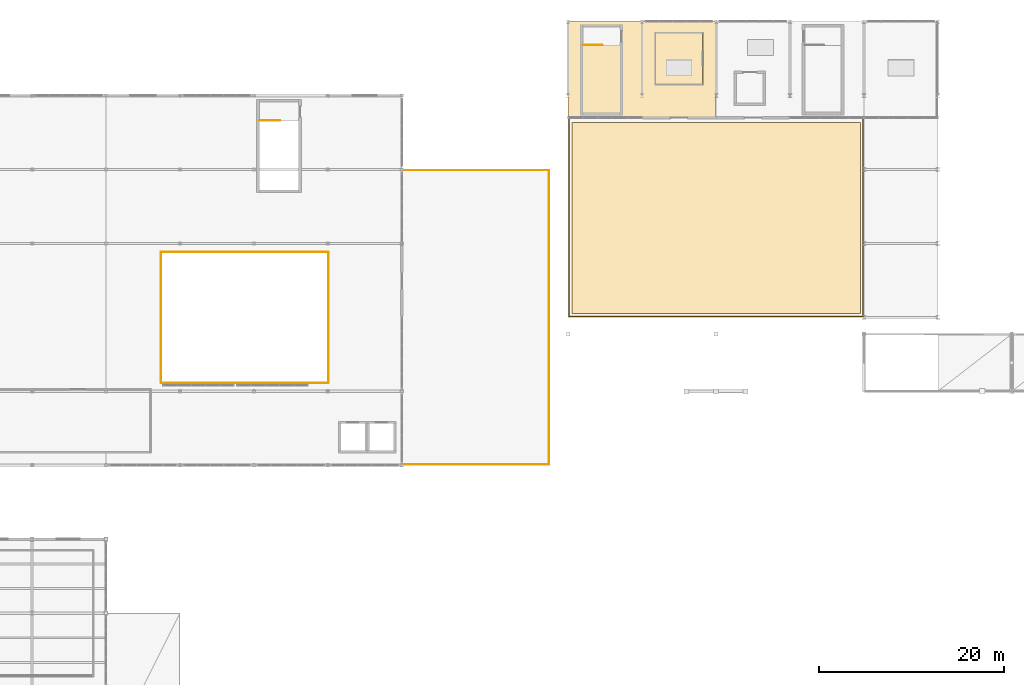
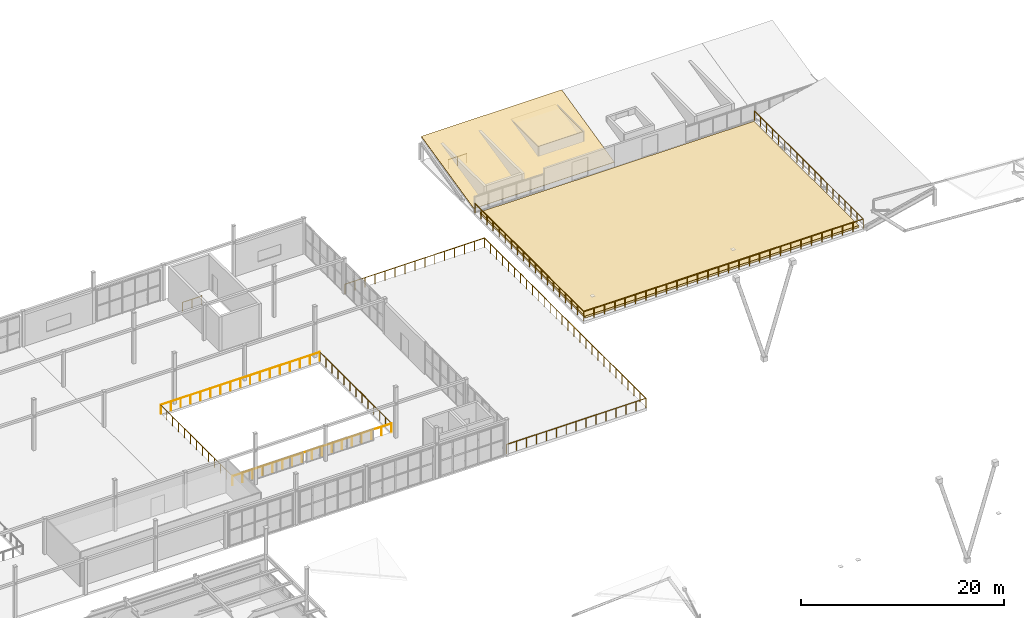
# One storey, part 82 of 83: 8 railings, 3 coverings, 1 element without a shape of its own.
"""IFC4 building model written with IfcOpenShell, lengths in metres."""

from ifc_helpers import new_model, si_unit, direction, frame, origin, origin_2d, place, context, subcontext, project, spatial, polyline, circle, outline, extrude, material, layer, layer_set, type_object, element, aggregate, save


model = new_model("IFC4")

# Units and contexts
model_context = context("Model", 3, precision=1e-05, world=origin(), true_north=direction((0.0, 1.0)))
body_context = subcontext(model_context, "Body", "Model", "MODEL_VIEW")
ifc_project = project(units=[si_unit("LENGTHUNIT", "METRE"), si_unit("AREAUNIT", "SQUARE_METRE"), si_unit("VOLUMEUNIT", "CUBIC_METRE"), si_unit("PLANEANGLEUNIT", "RADIAN"), si_unit("MASSUNIT", "GRAM", prefix="KILO")], contexts=[model_context])

# Site, building, storey
site_placement = place(None, origin())
site = spatial("IfcSite", under=ifc_project, at=site_placement, CompositionType="ELEMENT")
building_placement = place(site_placement, origin())
building = spatial("IfcBuilding", under=site, at=building_placement, Name="Drelvath Fold Interchange", CompositionType="ELEMENT")
storey_placement = place(building_placement, frame((0.0, 0.0, 11.199951171875)))
storey = spatial("IfcBuildingStorey", under=building, at=storey_placement, Name="L02", CompositionType="ELEMENT", Elevation=11.199951171875)

# Covering
ifc_material_1 = material(Name="Perforated Aluminium Acoustic Ceiling", Category="aluminium")
ifc_layer_1 = layer(ifc_material_1, 0.01806640625, Name="Perforated Aluminium Acoustic Ceiling")
ifc_layer_set_1 = layer_set([ifc_layer_1], Name="Perforated Aluminium Acoustic Ceiling")
covering_type_1 = type_object("IfcCoveringType", Name="CV-CEIL-AL18", PredefinedType="CEILING", material=ifc_layer_set_1)
covering_1_placement = place(storey_placement, frame((0.0, 0.0, 2.41015625)))
element("IfcCovering", 1, at=covering_1_placement, inside=storey, type_object=covering_type_1, Name="Roof Garden Pavilion and Cycle Cafe acoustic ceiling", PredefinedType="CEILING", context=body_context, shape_type="SweptSolid", body=[
    extrude(outline(polyline([(111.447998046875, 100.248046875), (116.552001953125, 100.248046875), (116.552001953125, 105.751953125), (111.447998046875, 105.751953125), (111.447998046875, 100.248046875)])), origin(), (0.0, 0.0, 1.0), 0.019775390625),
])

# Roof, covering
ifc_material_2 = material(Name="Standing-Seam Acoustic Roof Assembly")
ifc_layer_2 = layer(ifc_material_2, 0.054931640625, Name="Standing-Seam Acoustic Roof Assembly")
ifc_layer_set_2 = layer_set([ifc_layer_2], Name="Standing-Seam Acoustic Roof Assembly")
roof_type = type_object("IfcRoofType", Name="ROOF-SW", PredefinedType="SHED_ROOF", material=ifc_layer_set_2)
roof_placement = place(storey_placement, origin())
roof = element("IfcRoof", 2, at=roof_placement, inside=storey, type_object=roof_type, Name="Roof assembly RF-ASM-SW", PredefinedType="SHED_ROOF")
ifc_layer_3 = layer(ifc_material_2, 0.054931640625, Name="Standing-Seam Acoustic Roof Assembly")
ifc_layer_set_3 = layer_set([ifc_layer_3], Name="Standing-Seam Acoustic Roof Assembly")
covering_type_2 = type_object("IfcCoveringType", Name="CV-ROOF-SEAM", PredefinedType="ROOFING", material=ifc_layer_set_3)
covering_2_placement = place(storey_placement, frame((102.0, 96.60009765625, 0.505126953125), z_axis=(0.0, -0.224939692294, 0.974372687851), x_axis=(1.0, 0.0, 0.0)))
covering_2 = element("IfcCovering", 3, at=covering_2_placement, type_object=covering_type_2, Name="Standing-seam roof covering SL-RF-SW01", PredefinedType="ROOFING", context=body_context, shape_type="SweptSolid", body=[
    extrude(outline(polyline([(0.0, 0.0), (16.0, 0.0), (16.0, 10.673433762478359), (0.0, 10.673433762478359), (0.0, 0.0)])), origin(), (0.0, 0.0, -1.0), 0.054931640625),
])
aggregate(roof, [covering_2])

# Covering
ifc_material_3 = material(Name="Vegetated EPDM Roof Assembly")
ifc_layer_4 = layer(ifc_material_3, 0.260009765625, Name="Vegetated EPDM Roof Assembly")
ifc_layer_set_4 = layer_set([ifc_layer_4], Name="Vegetated EPDM Roof Assembly")
covering_type_3 = type_object("IfcCoveringType", Name="CV-ROOF-VEG", PredefinedType="ROOFING", material=ifc_layer_set_4)
covering_3_placement = place(storey_placement, origin())
element("IfcCovering", 4, at=covering_3_placement, inside=storey, type_object=covering_type_3, Name="Cycle hub planted sedum green-roof growing medium", PredefinedType="ROOFING", context=body_context, shape_type="SweptSolid", body=[
    extrude(outline(polyline([(102.39990234375, 75.39990234375), (133.60009765625, 75.39990234375), (133.60009765625, 96.10009765625), (102.39990234375, 96.10009765625), (102.39990234375, 75.39990234375)])), origin(), (0.0, 0.0, 1.0), 0.260009765625),
])

# Railings
ifc_material_4 = material(Name="Stainless Steel 316L", Category="steel")
railing_type_1 = type_object("IfcRailingType", Name="RL-BAL1120", PredefinedType="BALUSTRADE", material=ifc_material_4)
railing_1_placement = place(storey_placement, frame((57.949951171875, 67.919921875, 0.0)))
element("IfcRailing", 5, at=railing_1_placement, inside=storey, type_object=railing_type_1, Name="L02 atrium overlook balustrade 9 (S)", PredefinedType="BALUSTRADE", context=body_context, shape_type="SweptSolid", body=[
    extrude(circle(Radius=0.02392578125, at=origin_2d()), frame((0.0, 0.0, 1.09619140625), z_axis=(1.0, 0.0, 0.0), x_axis=(0.0, 1.0, 0.0)), (0.0, 0.0, 1.0), 18.10009765625),
    extrude(circle(Radius=0.02099609375, at=origin_2d()), origin(), (0.0, 0.0, 1.0), 1.072021484375),
    extrude(circle(Radius=0.02099609375, at=origin_2d()), frame((1.13134765625, 0.0, 0.0)), (0.0, 0.0, 1.0), 1.072021484375),
    extrude(circle(Radius=0.02099609375, at=origin_2d()), frame((2.262451171875, 0.0, 0.0)), (0.0, 0.0, 1.0), 1.072021484375),
    extrude(circle(Radius=0.02099609375, at=origin_2d()), frame((3.393798828125, 0.0, 0.0)), (0.0, 0.0, 1.0), 1.072021484375),
    extrude(circle(Radius=0.02099609375, at=origin_2d()), frame((4.52490234375, 0.0, 0.0)), (0.0, 0.0, 1.0), 1.072021484375),
    extrude(circle(Radius=0.02099609375, at=origin_2d()), frame((5.65625, 0.0, 0.0)), (0.0, 0.0, 1.0), 1.072021484375),
    extrude(circle(Radius=0.02099609375, at=origin_2d()), frame((6.78759765625, 0.0, 0.0)), (0.0, 0.0, 1.0), 1.072021484375),
    extrude(circle(Radius=0.02099609375, at=origin_2d()), frame((7.918701171875, 0.0, 0.0)), (0.0, 0.0, 1.0), 1.072021484375),
    extrude(circle(Radius=0.02099609375, at=origin_2d()), frame((9.050048828125, 0.0, 0.0)), (0.0, 0.0, 1.0), 1.072021484375),
    extrude(circle(Radius=0.02099609375, at=origin_2d()), frame((10.181396484375, 0.0, 0.0)), (0.0, 0.0, 1.0), 1.072021484375),
    extrude(circle(Radius=0.02099609375, at=origin_2d()), frame((11.3125, 0.0, 0.0)), (0.0, 0.0, 1.0), 1.072021484375),
    extrude(circle(Radius=0.02099609375, at=origin_2d()), frame((12.44384765625, 0.0, 0.0)), (0.0, 0.0, 1.0), 1.072021484375),
    extrude(circle(Radius=0.02099609375, at=origin_2d()), frame((13.5751953125, 0.0, 0.0)), (0.0, 0.0, 1.0), 1.072021484375),
    extrude(circle(Radius=0.02099609375, at=origin_2d()), frame((14.706298828125, 0.0, 0.0)), (0.0, 0.0, 1.0), 1.072021484375),
    extrude(circle(Radius=0.02099609375, at=origin_2d()), frame((15.837646484375, 0.0, 0.0)), (0.0, 0.0, 1.0), 1.072021484375),
    extrude(circle(Radius=0.02099609375, at=origin_2d()), frame((16.96875, 0.0, 0.0)), (0.0, 0.0, 1.0), 1.072021484375),
    extrude(circle(Radius=0.02099609375, at=origin_2d()), frame((18.10009765625, 0.0, 0.0)), (0.0, 0.0, 1.0), 1.072021484375),
])
railing_2_placement = place(storey_placement, frame((76.080078125, 67.949951171875, 0.0)))
element("IfcRailing", 6, at=railing_2_placement, inside=storey, type_object=railing_type_1, Name="L02 atrium overlook balustrade 9 (E)", PredefinedType="BALUSTRADE", context=body_context, shape_type="SweptSolid", body=[
    extrude(circle(Radius=0.02392578125, at=origin_2d()), frame((0.0, 0.0, 1.09619140625), z_axis=(0.0, 1.0, 0.0), x_axis=(-1.0, 0.0, 0.0)), (0.0, 0.0, 1.0), 14.10009765625),
    extrude(circle(Radius=0.02099609375, at=origin_2d()), origin(), (0.0, 0.0, 1.0), 1.072021484375),
    extrude(circle(Radius=0.02099609375, at=origin_2d()), frame((0.0, 1.175048828125, 0.0)), (0.0, 0.0, 1.0), 1.072021484375),
    extrude(circle(Radius=0.02099609375, at=origin_2d()), frame((0.0, 2.35009765625, 0.0)), (0.0, 0.0, 1.0), 1.072021484375),
    extrude(circle(Radius=0.02099609375, at=origin_2d()), frame((0.0, 3.52490234375, 0.0)), (0.0, 0.0, 1.0), 1.072021484375),
    extrude(circle(Radius=0.02099609375, at=origin_2d()), frame((0.0, 4.699951171875, 0.0)), (0.0, 0.0, 1.0), 1.072021484375),
    extrude(circle(Radius=0.02099609375, at=origin_2d()), frame((0.0, 5.875, 0.0)), (0.0, 0.0, 1.0), 1.072021484375),
    extrude(circle(Radius=0.02099609375, at=origin_2d()), frame((0.0, 7.050048828125, 0.0)), (0.0, 0.0, 1.0), 1.072021484375),
    extrude(circle(Radius=0.02099609375, at=origin_2d()), frame((0.0, 8.22509765625, 0.0)), (0.0, 0.0, 1.0), 1.072021484375),
    extrude(circle(Radius=0.02099609375, at=origin_2d()), frame((0.0, 9.400146484375, 0.0)), (0.0, 0.0, 1.0), 1.072021484375),
    extrude(circle(Radius=0.02099609375, at=origin_2d()), frame((0.0, 10.5751953125, 0.0)), (0.0, 0.0, 1.0), 1.072021484375),
    extrude(circle(Radius=0.02099609375, at=origin_2d()), frame((0.0, 11.75, 0.0)), (0.0, 0.0, 1.0), 1.072021484375),
    extrude(circle(Radius=0.02099609375, at=origin_2d()), frame((0.0, 12.925048828125, 0.0)), (0.0, 0.0, 1.0), 1.072021484375),
    extrude(circle(Radius=0.02099609375, at=origin_2d()), frame((0.0, 14.10009765625, 0.0)), (0.0, 0.0, 1.0), 1.072021484375),
])
railing_3_placement = place(storey_placement, frame((76.050048828125, 82.080078125, 0.0)))
element("IfcRailing", 7, at=railing_3_placement, inside=storey, type_object=railing_type_1, Name="L02 atrium overlook balustrade 9 (N)", PredefinedType="BALUSTRADE", context=body_context, shape_type="SweptSolid", body=[
    extrude(circle(Radius=0.02392578125, at=origin_2d()), frame((0.0, 0.0, 1.09619140625), z_axis=(-1.0, 0.0, 0.0), x_axis=(0.0, -1.0, 0.0)), (0.0, 0.0, 1.0), 18.10009765625),
    extrude(circle(Radius=0.02099609375, at=origin_2d()), origin(), (0.0, 0.0, 1.0), 1.072021484375),
    extrude(circle(Radius=0.02099609375, at=origin_2d()), frame((-1.13134765625, 0.0, 0.0)), (0.0, 0.0, 1.0), 1.072021484375),
    extrude(circle(Radius=0.02099609375, at=origin_2d()), frame((-2.262451171875, 0.0, 0.0)), (0.0, 0.0, 1.0), 1.072021484375),
    extrude(circle(Radius=0.02099609375, at=origin_2d()), frame((-3.393798828125, 0.0, 0.0)), (0.0, 0.0, 1.0), 1.072021484375),
    extrude(circle(Radius=0.02099609375, at=origin_2d()), frame((-4.52490234375, 0.0, 0.0)), (0.0, 0.0, 1.0), 1.072021484375),
    extrude(circle(Radius=0.02099609375, at=origin_2d()), frame((-5.65625, 0.0, 0.0)), (0.0, 0.0, 1.0), 1.072021484375),
    extrude(circle(Radius=0.02099609375, at=origin_2d()), frame((-6.78759765625, 0.0, 0.0)), (0.0, 0.0, 1.0), 1.072021484375),
    extrude(circle(Radius=0.02099609375, at=origin_2d()), frame((-7.918701171875, 0.0, 0.0)), (0.0, 0.0, 1.0), 1.072021484375),
    extrude(circle(Radius=0.02099609375, at=origin_2d()), frame((-9.050048828125, 0.0, 0.0)), (0.0, 0.0, 1.0), 1.072021484375),
    extrude(circle(Radius=0.02099609375, at=origin_2d()), frame((-10.181396484375, 0.0, 0.0)), (0.0, 0.0, 1.0), 1.072021484375),
    extrude(circle(Radius=0.02099609375, at=origin_2d()), frame((-11.3125, 0.0, 0.0)), (0.0, 0.0, 1.0), 1.072021484375),
    extrude(circle(Radius=0.02099609375, at=origin_2d()), frame((-12.44384765625, 0.0, 0.0)), (0.0, 0.0, 1.0), 1.072021484375),
    extrude(circle(Radius=0.02099609375, at=origin_2d()), frame((-13.5751953125, 0.0, 0.0)), (0.0, 0.0, 1.0), 1.072021484375),
    extrude(circle(Radius=0.02099609375, at=origin_2d()), frame((-14.706298828125, 0.0, 0.0)), (0.0, 0.0, 1.0), 1.072021484375),
    extrude(circle(Radius=0.02099609375, at=origin_2d()), frame((-15.837646484375, 0.0, 0.0)), (0.0, 0.0, 1.0), 1.072021484375),
    extrude(circle(Radius=0.02099609375, at=origin_2d()), frame((-16.96875, 0.0, 0.0)), (0.0, 0.0, 1.0), 1.072021484375),
    extrude(circle(Radius=0.02099609375, at=origin_2d()), frame((-18.10009765625, 0.0, 0.0)), (0.0, 0.0, 1.0), 1.072021484375),
])
railing_4_placement = place(storey_placement, frame((57.919921875, 82.050048828125, 0.0)))
element("IfcRailing", 8, at=railing_4_placement, inside=storey, type_object=railing_type_1, Name="L02 atrium overlook balustrade 9 (W)", PredefinedType="BALUSTRADE", context=body_context, shape_type="SweptSolid", body=[
    extrude(circle(Radius=0.02392578125, at=origin_2d()), frame((0.0, 0.0, 1.09619140625), z_axis=(0.0, -1.0, 0.0), x_axis=(1.0, 0.0, 0.0)), (0.0, 0.0, 1.0), 14.10009765625),
    extrude(circle(Radius=0.02099609375, at=origin_2d()), origin(), (0.0, 0.0, 1.0), 1.072021484375),
    extrude(circle(Radius=0.02099609375, at=origin_2d()), frame((0.0, -1.175048828125, 0.0)), (0.0, 0.0, 1.0), 1.072021484375),
    extrude(circle(Radius=0.02099609375, at=origin_2d()), frame((0.0, -2.35009765625, 0.0)), (0.0, 0.0, 1.0), 1.072021484375),
    extrude(circle(Radius=0.02099609375, at=origin_2d()), frame((0.0, -3.52490234375, 0.0)), (0.0, 0.0, 1.0), 1.072021484375),
    extrude(circle(Radius=0.02099609375, at=origin_2d()), frame((0.0, -4.699951171875, 0.0)), (0.0, 0.0, 1.0), 1.072021484375),
    extrude(circle(Radius=0.02099609375, at=origin_2d()), frame((0.0, -5.875, 0.0)), (0.0, 0.0, 1.0), 1.072021484375),
    extrude(circle(Radius=0.02099609375, at=origin_2d()), frame((0.0, -7.050048828125, 0.0)), (0.0, 0.0, 1.0), 1.072021484375),
    extrude(circle(Radius=0.02099609375, at=origin_2d()), frame((0.0, -8.22509765625, 0.0)), (0.0, 0.0, 1.0), 1.072021484375),
    extrude(circle(Radius=0.02099609375, at=origin_2d()), frame((0.0, -9.400146484375, 0.0)), (0.0, 0.0, 1.0), 1.072021484375),
    extrude(circle(Radius=0.02099609375, at=origin_2d()), frame((0.0, -10.5751953125, 0.0)), (0.0, 0.0, 1.0), 1.072021484375),
    extrude(circle(Radius=0.02099609375, at=origin_2d()), frame((0.0, -11.75, 0.0)), (0.0, 0.0, 1.0), 1.072021484375),
    extrude(circle(Radius=0.02099609375, at=origin_2d()), frame((0.0, -12.925048828125, 0.0)), (0.0, 0.0, 1.0), 1.072021484375),
    extrude(circle(Radius=0.02099609375, at=origin_2d()), frame((0.0, -14.10009765625, 0.0)), (0.0, 0.0, 1.0), 1.072021484375),
])
railing_type_2 = type_object("IfcRailingType", Name="RL-GRD1100", PredefinedType="GUARDRAIL", material=ifc_material_4)
railing_5_placement = place(storey_placement, frame((68.60009765625, 96.300048828125, 0.0)))
element("IfcRailing", 9, at=railing_5_placement, inside=storey, type_object=railing_type_2, Name="L02 ST-06 top well guard 1", PredefinedType="GUARDRAIL", context=body_context, shape_type="SweptSolid", body=[
    extrude(circle(Radius=0.02392578125, at=origin_2d()), frame((0.0, 0.0, 1.076171875), z_axis=(1.0, 0.0, 0.0), x_axis=(0.0, 1.0, 0.0)), (0.0, 0.0, 1.0), 2.2099609375),
    extrude(circle(Radius=0.02099609375, at=origin_2d()), origin(), (0.0, 0.0, 1.0), 1.052001953125),
    extrude(circle(Radius=0.02099609375, at=origin_2d()), frame((1.10498046875, 0.0, 0.0)), (0.0, 0.0, 1.0), 1.052001953125),
    extrude(circle(Radius=0.02099609375, at=origin_2d()), frame((2.2099609375, 0.0, 0.0)), (0.0, 0.0, 1.0), 1.052001953125),
])
railing_6_placement = place(storey_placement, frame((103.60009765625, 104.449951171875, 0.0)))
element("IfcRailing", 10, at=railing_6_placement, inside=storey, type_object=railing_type_2, Name="L02 ST-07 top well guard 1", PredefinedType="GUARDRAIL", context=body_context, shape_type="SweptSolid", body=[
    extrude(circle(Radius=0.02392578125, at=origin_2d()), frame((0.0, 0.0, 1.076171875), z_axis=(1.0, 0.0, 0.0), x_axis=(0.0, 1.0, 0.0)), (0.0, 0.0, 1.0), 2.10986328125),
    extrude(circle(Radius=0.02099609375, at=origin_2d()), origin(), (0.0, 0.0, 1.0), 1.052001953125),
    extrude(circle(Radius=0.02099609375, at=origin_2d()), frame((1.054931640625, 0.0, 0.0)), (0.0, 0.0, 1.0), 1.052001953125),
    extrude(circle(Radius=0.02099609375, at=origin_2d()), frame((2.10986328125, 0.0, 0.0)), (0.0, 0.0, 1.0), 1.052001953125),
])
railing_type_3 = type_object("IfcRailingType", Name="RL-GRD1150", PredefinedType="GUARDRAIL", material=ifc_material_4)
railing_7_placement = place(storey_placement, frame((102.080078125, 96.52001953125, 0.0)))
element("IfcRailing", 11, at=railing_7_placement, inside=storey, type_object=railing_type_3, Name="L02 outdoor terrace perimeter guard 2", PredefinedType="GUARDRAIL", context=body_context, shape_type="SweptSolid", body=[
    extrude(circle(Radius=0.02392578125, at=origin_2d()), frame((0.0, 0.0, 1.1259765625), z_axis=(0.0, -1.0, 0.0), x_axis=(1.0, 0.0, 0.0)), (0.0, 0.0, 1.0), 21.43994140625),
    extrude(circle(Radius=0.02392578125, at=origin_2d()), frame((0.0, -21.43994140625, 1.1259765625), z_axis=(1.0, 0.0, 0.0), x_axis=(0.0, 1.0, 0.0)), (0.0, 0.0, 1.0), 31.83984375),
    extrude(circle(Radius=0.02392578125, at=origin_2d()), frame((31.83984375, -21.43994140625, 1.1259765625), z_axis=(0.0, 1.0, 0.0), x_axis=(-1.0, 0.0, 0.0)), (0.0, 0.0, 1.0), 21.43994140625),
    extrude(circle(Radius=0.02099609375, at=origin_2d()), origin(), (0.0, 0.0, 1.0), 1.101806640625),
    extrude(circle(Radius=0.02099609375, at=origin_2d()), frame((0.0, -1.191162109375, 0.0)), (0.0, 0.0, 1.0), 1.101806640625),
    extrude(circle(Radius=0.02099609375, at=origin_2d()), frame((0.0, -2.38232421875, 0.0)), (0.0, 0.0, 1.0), 1.101806640625),
    extrude(circle(Radius=0.02099609375, at=origin_2d()), frame((0.0, -3.5732421875, 0.0)), (0.0, 0.0, 1.0), 1.101806640625),
    extrude(circle(Radius=0.02099609375, at=origin_2d()), frame((0.0, -4.764404296875, 0.0)), (0.0, 0.0, 1.0), 1.101806640625),
    extrude(circle(Radius=0.02099609375, at=origin_2d()), frame((0.0, -5.95556640625, 0.0)), (0.0, 0.0, 1.0), 1.101806640625),
    extrude(circle(Radius=0.02099609375, at=origin_2d()), frame((0.0, -7.146728515625, 0.0)), (0.0, 0.0, 1.0), 1.101806640625),
    extrude(circle(Radius=0.02099609375, at=origin_2d()), frame((0.0, -8.337646484375, 0.0)), (0.0, 0.0, 1.0), 1.101806640625),
    extrude(circle(Radius=0.02099609375, at=origin_2d()), frame((0.0, -9.52880859375, 0.0)), (0.0, 0.0, 1.0), 1.101806640625),
    extrude(circle(Radius=0.02099609375, at=origin_2d()), frame((0.0, -10.719970703125, 0.0)), (0.0, 0.0, 1.0), 1.101806640625),
    extrude(circle(Radius=0.02099609375, at=origin_2d()), frame((0.0, -11.9111328125, 0.0)), (0.0, 0.0, 1.0), 1.101806640625),
    extrude(circle(Radius=0.02099609375, at=origin_2d()), frame((0.0, -13.102294921875, 0.0)), (0.0, 0.0, 1.0), 1.101806640625),
    extrude(circle(Radius=0.02099609375, at=origin_2d()), frame((0.0, -14.293212890625, 0.0)), (0.0, 0.0, 1.0), 1.101806640625),
    extrude(circle(Radius=0.02099609375, at=origin_2d()), frame((0.0, -15.484375, 0.0)), (0.0, 0.0, 1.0), 1.101806640625),
    extrude(circle(Radius=0.02099609375, at=origin_2d()), frame((0.0, -16.675537109375, 0.0)), (0.0, 0.0, 1.0), 1.101806640625),
    extrude(circle(Radius=0.02099609375, at=origin_2d()), frame((0.0, -17.86669921875, 0.0)), (0.0, 0.0, 1.0), 1.101806640625),
    extrude(circle(Radius=0.02099609375, at=origin_2d()), frame((0.0, -19.0576171875, 0.0)), (0.0, 0.0, 1.0), 1.101806640625),
    extrude(circle(Radius=0.02099609375, at=origin_2d()), frame((0.0, -20.248779296875, 0.0)), (0.0, 0.0, 1.0), 1.101806640625),
    extrude(circle(Radius=0.02099609375, at=origin_2d()), frame((0.0, -21.43994140625, 0.0)), (0.0, 0.0, 1.0), 1.101806640625),
    extrude(circle(Radius=0.02099609375, at=origin_2d()), frame((1.17919921875, -21.43994140625, 0.0)), (0.0, 0.0, 1.0), 1.101806640625),
    extrude(circle(Radius=0.02099609375, at=origin_2d()), frame((2.3583984375, -21.43994140625, 0.0)), (0.0, 0.0, 1.0), 1.101806640625),
    extrude(circle(Radius=0.02099609375, at=origin_2d()), frame((3.537841796875, -21.43994140625, 0.0)), (0.0, 0.0, 1.0), 1.101806640625),
    extrude(circle(Radius=0.02099609375, at=origin_2d()), frame((4.717041015625, -21.43994140625, 0.0)), (0.0, 0.0, 1.0), 1.101806640625),
    extrude(circle(Radius=0.02099609375, at=origin_2d()), frame((5.896240234375, -21.43994140625, 0.0)), (0.0, 0.0, 1.0), 1.101806640625),
    extrude(circle(Radius=0.02099609375, at=origin_2d()), frame((7.075439453125, -21.43994140625, 0.0)), (0.0, 0.0, 1.0), 1.101806640625),
    extrude(circle(Radius=0.02099609375, at=origin_2d()), frame((8.2548828125, -21.43994140625, 0.0)), (0.0, 0.0, 1.0), 1.101806640625),
    extrude(circle(Radius=0.02099609375, at=origin_2d()), frame((9.43408203125, -21.43994140625, 0.0)), (0.0, 0.0, 1.0), 1.101806640625),
    extrude(circle(Radius=0.02099609375, at=origin_2d()), frame((10.61328125, -21.43994140625, 0.0)), (0.0, 0.0, 1.0), 1.101806640625),
    extrude(circle(Radius=0.02099609375, at=origin_2d()), frame((11.79248046875, -21.43994140625, 0.0)), (0.0, 0.0, 1.0), 1.101806640625),
    extrude(circle(Radius=0.02099609375, at=origin_2d()), frame((12.9716796875, -21.43994140625, 0.0)), (0.0, 0.0, 1.0), 1.101806640625),
    extrude(circle(Radius=0.02099609375, at=origin_2d()), frame((14.151123046875, -21.43994140625, 0.0)), (0.0, 0.0, 1.0), 1.101806640625),
    extrude(circle(Radius=0.02099609375, at=origin_2d()), frame((15.330322265625, -21.43994140625, 0.0)), (0.0, 0.0, 1.0), 1.101806640625),
    extrude(circle(Radius=0.02099609375, at=origin_2d()), frame((16.509521484375, -21.43994140625, 0.0)), (0.0, 0.0, 1.0), 1.101806640625),
    extrude(circle(Radius=0.02099609375, at=origin_2d()), frame((17.688720703125, -21.43994140625, 0.0)), (0.0, 0.0, 1.0), 1.101806640625),
    extrude(circle(Radius=0.02099609375, at=origin_2d()), frame((18.8681640625, -21.43994140625, 0.0)), (0.0, 0.0, 1.0), 1.101806640625),
    extrude(circle(Radius=0.02099609375, at=origin_2d()), frame((20.04736328125, -21.43994140625, 0.0)), (0.0, 0.0, 1.0), 1.101806640625),
    extrude(circle(Radius=0.02099609375, at=origin_2d()), frame((21.2265625, -21.43994140625, 0.0)), (0.0, 0.0, 1.0), 1.101806640625),
    extrude(circle(Radius=0.02099609375, at=origin_2d()), frame((22.40576171875, -21.43994140625, 0.0)), (0.0, 0.0, 1.0), 1.101806640625),
    extrude(circle(Radius=0.02099609375, at=origin_2d()), frame((23.5849609375, -21.43994140625, 0.0)), (0.0, 0.0, 1.0), 1.101806640625),
    extrude(circle(Radius=0.02099609375, at=origin_2d()), frame((24.764404296875, -21.43994140625, 0.0)), (0.0, 0.0, 1.0), 1.101806640625),
    extrude(circle(Radius=0.02099609375, at=origin_2d()), frame((25.943603515625, -21.43994140625, 0.0)), (0.0, 0.0, 1.0), 1.101806640625),
    extrude(circle(Radius=0.02099609375, at=origin_2d()), frame((27.122802734375, -21.43994140625, 0.0)), (0.0, 0.0, 1.0), 1.101806640625),
    extrude(circle(Radius=0.02099609375, at=origin_2d()), frame((28.302001953125, -21.43994140625, 0.0)), (0.0, 0.0, 1.0), 1.101806640625),
    extrude(circle(Radius=0.02099609375, at=origin_2d()), frame((29.4814453125, -21.43994140625, 0.0)), (0.0, 0.0, 1.0), 1.101806640625),
    extrude(circle(Radius=0.02099609375, at=origin_2d()), frame((30.66064453125, -21.43994140625, 0.0)), (0.0, 0.0, 1.0), 1.101806640625),
    extrude(circle(Radius=0.02099609375, at=origin_2d()), frame((31.83984375, -21.43994140625, 0.0)), (0.0, 0.0, 1.0), 1.101806640625),
    extrude(circle(Radius=0.02099609375, at=origin_2d()), frame((31.83984375, -20.248779296875, 0.0)), (0.0, 0.0, 1.0), 1.101806640625),
    extrude(circle(Radius=0.02099609375, at=origin_2d()), frame((31.83984375, -19.0576171875, 0.0)), (0.0, 0.0, 1.0), 1.101806640625),
    extrude(circle(Radius=0.02099609375, at=origin_2d()), frame((31.83984375, -17.86669921875, 0.0)), (0.0, 0.0, 1.0), 1.101806640625),
    extrude(circle(Radius=0.02099609375, at=origin_2d()), frame((31.83984375, -16.675537109375, 0.0)), (0.0, 0.0, 1.0), 1.101806640625),
    extrude(circle(Radius=0.02099609375, at=origin_2d()), frame((31.83984375, -15.484375, 0.0)), (0.0, 0.0, 1.0), 1.101806640625),
    extrude(circle(Radius=0.02099609375, at=origin_2d()), frame((31.83984375, -14.293212890625, 0.0)), (0.0, 0.0, 1.0), 1.101806640625),
    extrude(circle(Radius=0.02099609375, at=origin_2d()), frame((31.83984375, -13.102294921875, 0.0)), (0.0, 0.0, 1.0), 1.101806640625),
    extrude(circle(Radius=0.02099609375, at=origin_2d()), frame((31.83984375, -11.9111328125, 0.0)), (0.0, 0.0, 1.0), 1.101806640625),
    extrude(circle(Radius=0.02099609375, at=origin_2d()), frame((31.83984375, -10.719970703125, 0.0)), (0.0, 0.0, 1.0), 1.101806640625),
    extrude(circle(Radius=0.02099609375, at=origin_2d()), frame((31.83984375, -9.52880859375, 0.0)), (0.0, 0.0, 1.0), 1.101806640625),
    extrude(circle(Radius=0.02099609375, at=origin_2d()), frame((31.83984375, -8.337646484375, 0.0)), (0.0, 0.0, 1.0), 1.101806640625),
    extrude(circle(Radius=0.02099609375, at=origin_2d()), frame((31.83984375, -7.146728515625, 0.0)), (0.0, 0.0, 1.0), 1.101806640625),
    extrude(circle(Radius=0.02099609375, at=origin_2d()), frame((31.83984375, -5.95556640625, 0.0)), (0.0, 0.0, 1.0), 1.101806640625),
    extrude(circle(Radius=0.02099609375, at=origin_2d()), frame((31.83984375, -4.764404296875, 0.0)), (0.0, 0.0, 1.0), 1.101806640625),
    extrude(circle(Radius=0.02099609375, at=origin_2d()), frame((31.83984375, -3.5732421875, 0.0)), (0.0, 0.0, 1.0), 1.101806640625),
    extrude(circle(Radius=0.02099609375, at=origin_2d()), frame((31.83984375, -2.38232421875, 0.0)), (0.0, 0.0, 1.0), 1.101806640625),
    extrude(circle(Radius=0.02099609375, at=origin_2d()), frame((31.83984375, -1.191162109375, 0.0)), (0.0, 0.0, 1.0), 1.101806640625),
    extrude(circle(Radius=0.02099609375, at=origin_2d()), frame((31.83984375, 0.0, 0.0)), (0.0, 0.0, 1.0), 1.101806640625),
])
railing_8_placement = place(storey_placement, frame((84.050048828125, 59.080078125, 0.0)))
element("IfcRailing", 12, at=railing_8_placement, inside=storey, type_object=railing_type_3, Name="L02 outdoor terrace perimeter guard 3", PredefinedType="GUARDRAIL", context=body_context, shape_type="SweptSolid", body=[
    extrude(circle(Radius=0.02392578125, at=origin_2d()), frame((0.0, 0.0, 1.1259765625), z_axis=(1.0, 0.0, 0.0), x_axis=(0.0, 1.0, 0.0)), (0.0, 0.0, 1.0), 15.869873046875),
    extrude(circle(Radius=0.02392578125, at=origin_2d()), frame((15.869873046875, 0.0, 1.1259765625), z_axis=(0.0, 1.0, 0.0), x_axis=(-1.0, 0.0, 0.0)), (0.0, 0.0, 1.0), 31.83984375),
    extrude(circle(Radius=0.02392578125, at=origin_2d()), frame((15.869873046875, 31.83984375, 1.1259765625), z_axis=(-1.0, 0.0, 0.0), x_axis=(0.0, -1.0, 0.0)), (0.0, 0.0, 1.0), 15.869873046875),
    extrude(circle(Radius=0.02099609375, at=origin_2d()), origin(), (0.0, 0.0, 1.0), 1.101806640625),
    extrude(circle(Radius=0.02099609375, at=origin_2d()), frame((1.133544921875, 0.0, 0.0)), (0.0, 0.0, 1.0), 1.101806640625),
    extrude(circle(Radius=0.02099609375, at=origin_2d()), frame((2.26708984375, 0.0, 0.0)), (0.0, 0.0, 1.0), 1.101806640625),
    extrude(circle(Radius=0.02099609375, at=origin_2d()), frame((3.400634765625, 0.0, 0.0)), (0.0, 0.0, 1.0), 1.101806640625),
    extrude(circle(Radius=0.02099609375, at=origin_2d()), frame((4.5341796875, 0.0, 0.0)), (0.0, 0.0, 1.0), 1.101806640625),
    extrude(circle(Radius=0.02099609375, at=origin_2d()), frame((5.667724609375, 0.0, 0.0)), (0.0, 0.0, 1.0), 1.101806640625),
    extrude(circle(Radius=0.02099609375, at=origin_2d()), frame((6.80126953125, 0.0, 0.0)), (0.0, 0.0, 1.0), 1.101806640625),
    extrude(circle(Radius=0.02099609375, at=origin_2d()), frame((7.93505859375, 0.0, 0.0)), (0.0, 0.0, 1.0), 1.101806640625),
    extrude(circle(Radius=0.02099609375, at=origin_2d()), frame((9.068603515625, 0.0, 0.0)), (0.0, 0.0, 1.0), 1.101806640625),
    extrude(circle(Radius=0.02099609375, at=origin_2d()), frame((10.2021484375, 0.0, 0.0)), (0.0, 0.0, 1.0), 1.101806640625),
    extrude(circle(Radius=0.02099609375, at=origin_2d()), frame((11.335693359375, 0.0, 0.0)), (0.0, 0.0, 1.0), 1.101806640625),
    extrude(circle(Radius=0.02099609375, at=origin_2d()), frame((12.46923828125, 0.0, 0.0)), (0.0, 0.0, 1.0), 1.101806640625),
    extrude(circle(Radius=0.02099609375, at=origin_2d()), frame((13.602783203125, 0.0, 0.0)), (0.0, 0.0, 1.0), 1.101806640625),
    extrude(circle(Radius=0.02099609375, at=origin_2d()), frame((14.736328125, 0.0, 0.0)), (0.0, 0.0, 1.0), 1.101806640625),
    extrude(circle(Radius=0.02099609375, at=origin_2d()), frame((15.869873046875, 0.0, 0.0)), (0.0, 0.0, 1.0), 1.101806640625),
    extrude(circle(Radius=0.02099609375, at=origin_2d()), frame((15.869873046875, 1.17919921875, 0.0)), (0.0, 0.0, 1.0), 1.101806640625),
    extrude(circle(Radius=0.02099609375, at=origin_2d()), frame((15.869873046875, 2.3583984375, 0.0)), (0.0, 0.0, 1.0), 1.101806640625),
    extrude(circle(Radius=0.02099609375, at=origin_2d()), frame((15.869873046875, 3.537841796875, 0.0)), (0.0, 0.0, 1.0), 1.101806640625),
    extrude(circle(Radius=0.02099609375, at=origin_2d()), frame((15.869873046875, 4.717041015625, 0.0)), (0.0, 0.0, 1.0), 1.101806640625),
    extrude(circle(Radius=0.02099609375, at=origin_2d()), frame((15.869873046875, 5.896240234375, 0.0)), (0.0, 0.0, 1.0), 1.101806640625),
    extrude(circle(Radius=0.02099609375, at=origin_2d()), frame((15.869873046875, 7.075439453125, 0.0)), (0.0, 0.0, 1.0), 1.101806640625),
    extrude(circle(Radius=0.02099609375, at=origin_2d()), frame((15.869873046875, 8.2548828125, 0.0)), (0.0, 0.0, 1.0), 1.101806640625),
    extrude(circle(Radius=0.02099609375, at=origin_2d()), frame((15.869873046875, 9.43408203125, 0.0)), (0.0, 0.0, 1.0), 1.101806640625),
    extrude(circle(Radius=0.02099609375, at=origin_2d()), frame((15.869873046875, 10.61328125, 0.0)), (0.0, 0.0, 1.0), 1.101806640625),
    extrude(circle(Radius=0.02099609375, at=origin_2d()), frame((15.869873046875, 11.79248046875, 0.0)), (0.0, 0.0, 1.0), 1.101806640625),
    extrude(circle(Radius=0.02099609375, at=origin_2d()), frame((15.869873046875, 12.9716796875, 0.0)), (0.0, 0.0, 1.0), 1.101806640625),
    extrude(circle(Radius=0.02099609375, at=origin_2d()), frame((15.869873046875, 14.151123046875, 0.0)), (0.0, 0.0, 1.0), 1.101806640625),
    extrude(circle(Radius=0.02099609375, at=origin_2d()), frame((15.869873046875, 15.330322265625, 0.0)), (0.0, 0.0, 1.0), 1.101806640625),
    extrude(circle(Radius=0.02099609375, at=origin_2d()), frame((15.869873046875, 16.509521484375, 0.0)), (0.0, 0.0, 1.0), 1.101806640625),
    extrude(circle(Radius=0.02099609375, at=origin_2d()), frame((15.869873046875, 17.688720703125, 0.0)), (0.0, 0.0, 1.0), 1.101806640625),
    extrude(circle(Radius=0.02099609375, at=origin_2d()), frame((15.869873046875, 18.8681640625, 0.0)), (0.0, 0.0, 1.0), 1.101806640625),
    extrude(circle(Radius=0.02099609375, at=origin_2d()), frame((15.869873046875, 20.04736328125, 0.0)), (0.0, 0.0, 1.0), 1.101806640625),
    extrude(circle(Radius=0.02099609375, at=origin_2d()), frame((15.869873046875, 21.2265625, 0.0)), (0.0, 0.0, 1.0), 1.101806640625),
    extrude(circle(Radius=0.02099609375, at=origin_2d()), frame((15.869873046875, 22.40576171875, 0.0)), (0.0, 0.0, 1.0), 1.101806640625),
    extrude(circle(Radius=0.02099609375, at=origin_2d()), frame((15.869873046875, 23.5849609375, 0.0)), (0.0, 0.0, 1.0), 1.101806640625),
    extrude(circle(Radius=0.02099609375, at=origin_2d()), frame((15.869873046875, 24.764404296875, 0.0)), (0.0, 0.0, 1.0), 1.101806640625),
    extrude(circle(Radius=0.02099609375, at=origin_2d()), frame((15.869873046875, 25.943603515625, 0.0)), (0.0, 0.0, 1.0), 1.101806640625),
    extrude(circle(Radius=0.02099609375, at=origin_2d()), frame((15.869873046875, 27.122802734375, 0.0)), (0.0, 0.0, 1.0), 1.101806640625),
    extrude(circle(Radius=0.02099609375, at=origin_2d()), frame((15.869873046875, 28.302001953125, 0.0)), (0.0, 0.0, 1.0), 1.101806640625),
    extrude(circle(Radius=0.02099609375, at=origin_2d()), frame((15.869873046875, 29.4814453125, 0.0)), (0.0, 0.0, 1.0), 1.101806640625),
    extrude(circle(Radius=0.02099609375, at=origin_2d()), frame((15.869873046875, 30.66064453125, 0.0)), (0.0, 0.0, 1.0), 1.101806640625),
    extrude(circle(Radius=0.02099609375, at=origin_2d()), frame((15.869873046875, 31.83984375, 0.0)), (0.0, 0.0, 1.0), 1.101806640625),
    extrude(circle(Radius=0.02099609375, at=origin_2d()), frame((14.736328125, 31.83984375, 0.0)), (0.0, 0.0, 1.0), 1.101806640625),
    extrude(circle(Radius=0.02099609375, at=origin_2d()), frame((13.602783203125, 31.83984375, 0.0)), (0.0, 0.0, 1.0), 1.101806640625),
    extrude(circle(Radius=0.02099609375, at=origin_2d()), frame((12.46923828125, 31.83984375, 0.0)), (0.0, 0.0, 1.0), 1.101806640625),
    extrude(circle(Radius=0.02099609375, at=origin_2d()), frame((11.335693359375, 31.83984375, 0.0)), (0.0, 0.0, 1.0), 1.101806640625),
    extrude(circle(Radius=0.02099609375, at=origin_2d()), frame((10.2021484375, 31.83984375, 0.0)), (0.0, 0.0, 1.0), 1.101806640625),
    extrude(circle(Radius=0.02099609375, at=origin_2d()), frame((9.068603515625, 31.83984375, 0.0)), (0.0, 0.0, 1.0), 1.101806640625),
    extrude(circle(Radius=0.02099609375, at=origin_2d()), frame((7.93505859375, 31.83984375, 0.0)), (0.0, 0.0, 1.0), 1.101806640625),
    extrude(circle(Radius=0.02099609375, at=origin_2d()), frame((6.80126953125, 31.83984375, 0.0)), (0.0, 0.0, 1.0), 1.101806640625),
    extrude(circle(Radius=0.02099609375, at=origin_2d()), frame((5.667724609375, 31.83984375, 0.0)), (0.0, 0.0, 1.0), 1.101806640625),
    extrude(circle(Radius=0.02099609375, at=origin_2d()), frame((4.5341796875, 31.83984375, 0.0)), (0.0, 0.0, 1.0), 1.101806640625),
    extrude(circle(Radius=0.02099609375, at=origin_2d()), frame((3.400634765625, 31.83984375, 0.0)), (0.0, 0.0, 1.0), 1.101806640625),
    extrude(circle(Radius=0.02099609375, at=origin_2d()), frame((2.26708984375, 31.83984375, 0.0)), (0.0, 0.0, 1.0), 1.101806640625),
    extrude(circle(Radius=0.02099609375, at=origin_2d()), frame((1.133544921875, 31.83984375, 0.0)), (0.0, 0.0, 1.0), 1.101806640625),
    extrude(circle(Radius=0.02099609375, at=origin_2d()), frame((0.0, 31.83984375, 0.0)), (0.0, 0.0, 1.0), 1.101806640625),
])

save(model, "model.ifc")
